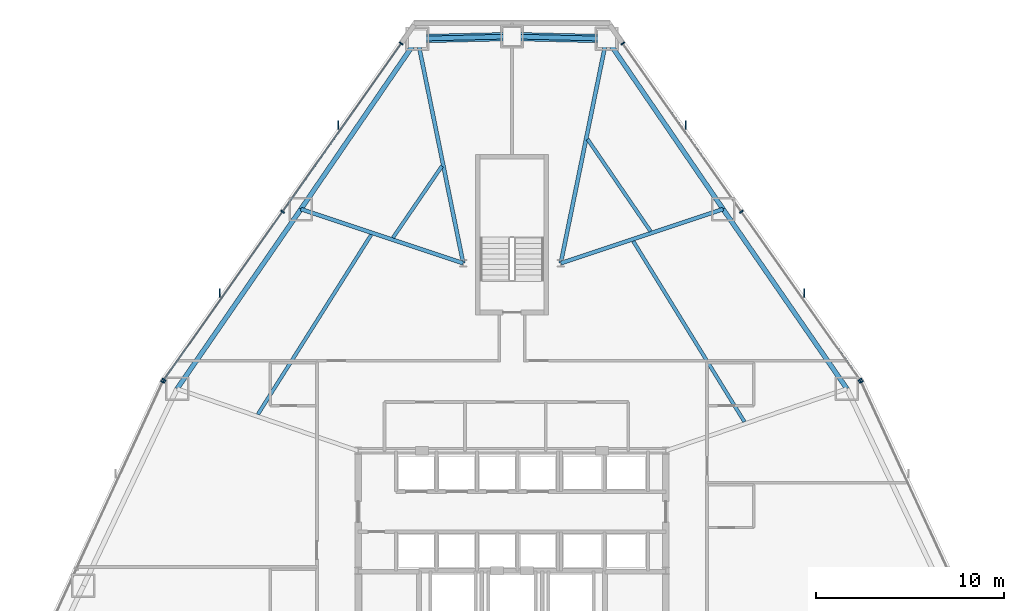
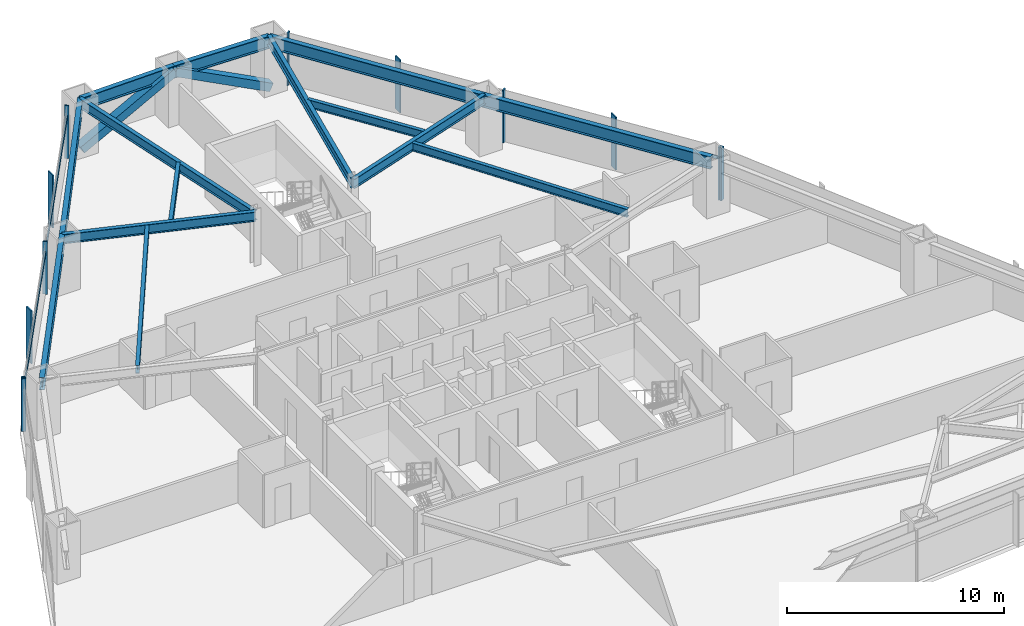
# One storey, part 7 of 12: 16 members, 14 beams, 4 elements without a shape of their own.
"""IFC4 building model written with IfcOpenShell, lengths in metres."""

from ifc_helpers import new_model, si_unit, direction, frame, origin, origin_2d, place, context, subcontext, project, spatial, rectangle, hollow_rectangle, i_section, extrude, source, transform, mapped, material, layer, layer_set, material_profile, profile_set, type_object, type_shapes, element, aggregate, save


model = new_model("IFC4")

# Units and contexts
model_context = context("Model", 3, precision=1e-05, world=origin(), true_north=direction((0.0, 1.0)))
body_context = subcontext(model_context, "Body", "Model", "MODEL_VIEW")
ifc_project = project(units=[si_unit("LENGTHUNIT", "METRE"), si_unit("AREAUNIT", "SQUARE_METRE"), si_unit("VOLUMEUNIT", "CUBIC_METRE"), si_unit("PLANEANGLEUNIT", "RADIAN"), si_unit("MASSUNIT", "GRAM", prefix="KILO")], contexts=[model_context])

# Site, building, storey
site_placement = place(None, origin())
site = spatial("IfcSite", under=ifc_project, at=site_placement, CompositionType="ELEMENT")
building_placement = place(site_placement, origin())
building = spatial("IfcBuilding", under=site, at=building_placement, Name="Varakhsha Concourse Tower", CompositionType="ELEMENT")
storey_placement = place(building_placement, frame((0.0, 0.0, 40.0)))
storey = spatial("IfcBuildingStorey", under=building, at=storey_placement, Name="L10", CompositionType="ELEMENT", Elevation=40.0)

# Beams
ifc_material_1 = material(Name="Structural Steel ASTM A992 Grade 50", Category="steel")
ifc_material_profile_1 = material_profile(ifc_material_1, i_section(OverallWidth=0.19091796875, OverallDepth=0.45703125, WebThickness=0.009033203125, FlangeThickness=0.013916015625, at=origin_2d()), Name="W18X50")
ifc_profile_set_1 = profile_set([ifc_material_profile_1], Name="Structural Steel ASTM A992 Grade 50")
beam_type_1 = type_object("IfcBeamType", Name="BM-JST-W18X50", PredefinedType="JOIST", material=ifc_profile_set_1)
beam_1_placement = place(storey_placement, frame((36.263916015625, 46.376708984375, 2.75146484375), z_axis=(-0.56439805482, -0.825502777533, 0.0), x_axis=(0.825502777533, -0.56439805482, 0.0)))
element("IfcBeam", 1, at=beam_1_placement, inside=storey, type_object=beam_type_1, Name="BM-TJST-L10-03", PredefinedType="JOIST", context=body_context, shape_type="SweptSolid", body=[
    extrude(i_section(OverallWidth=0.19091796875, OverallDepth=0.45703125, WebThickness=0.009033203125, FlangeThickness=0.013916015625, at=origin_2d()), origin(), (0.0, 0.0, 1.0), 4.623779296875),
])
beam_2_placement = place(storey_placement, frame((32.4951171875, 42.72216796875, 2.75146484375), z_axis=(-0.533683895247, -0.845684042627, 0.0), x_axis=(0.845684042627, -0.533683895247, 0.0)))
element("IfcBeam", 2, at=beam_2_placement, inside=storey, type_object=beam_type_1, Name="BM-TJST-L10-04", PredefinedType="JOIST", context=body_context, shape_type="SweptSolid", body=[
    extrude(i_section(OverallWidth=0.19091796875, OverallDepth=0.45703125, WebThickness=0.009033203125, FlangeThickness=0.013916015625, at=origin_2d()), origin(), (0.0, 0.0, 1.0), 11.323486328125),
])
beam_3_placement = place(storey_placement, frame((52.390625, 32.74951171875, 2.75146484375), z_axis=(-0.524201058585, 0.851594533906, 0.0), x_axis=(-0.851594533906, -0.524201058585, 0.0)))
element("IfcBeam", 3, at=beam_3_placement, inside=storey, type_object=beam_type_1, Name="BM-TJST-L10-17", PredefinedType="JOIST", context=body_context, shape_type="SweptSolid", body=[
    extrude(i_section(OverallWidth=0.19091796875, OverallDepth=0.45703125, WebThickness=0.009033203125, FlangeThickness=0.013916015625, at=origin_2d()), origin(), (0.0, 0.0, 1.0), 11.303466796875),
])
beam_4_placement = place(storey_placement, frame((47.38427734375, 42.906005859375, 2.75146484375), z_axis=(-0.564442440935, 0.825472428899, 0.0), x_axis=(-0.825472428899, -0.564442440935, 0.0)))
element("IfcBeam", 4, at=beam_4_placement, inside=storey, type_object=beam_type_1, Name="BM-TJST-L10-18", PredefinedType="JOIST", context=body_context, shape_type="SweptSolid", body=[
    extrude(i_section(OverallWidth=0.19091796875, OverallDepth=0.45703125, WebThickness=0.009033203125, FlangeThickness=0.013916015625, at=origin_2d()), origin(), (0.0, 0.0, 1.0), 5.94482421875),
])
ifc_material_profile_2 = material_profile(ifc_material_1, i_section(OverallWidth=0.2109375, OverallDepth=0.5390625, WebThickness=0.011962890625, FlangeThickness=0.01904296875, at=origin_2d()), Name="W21X73")
ifc_profile_set_2 = profile_set([ifc_material_profile_2], Name="Structural Steel ASTM A992 Grade 50")
beam_type_2 = type_object("IfcBeamType", Name="BM-RAD-W21X73", PredefinedType="BEAM", material=ifc_profile_set_2)
for number, where, z_axis, x_axis, name in (
    (5, (42.60009765625, 41.199951171875, 2.71044921875), (0.1997615207, 0.979844546266, 0.0), (-0.979844546266, 0.1997615207, 0.0), "L10 Radial Floor Girder 01"),
    (6, (37.39990234375, 41.199951171875, 2.71044921875), (-0.1997615207, 0.979844546266, 0.0), (-0.979844546266, -0.1997615207, 0.0), "L10 Radial Floor Girder 03"),
):
    element("IfcBeam", number, at=place(storey_placement, frame(where, z_axis=z_axis, x_axis=x_axis)), inside=storey, type_object=beam_type_2, Name=name, PredefinedType="BEAM", context=body_context, shape_type="SweptSolid", body=[
        extrude(i_section(OverallWidth=0.2109375, OverallDepth=0.5390625, WebThickness=0.011962890625, FlangeThickness=0.01904296875, at=origin_2d()), origin(), (0.0, 0.0, 1.0), 12.218017578125),
    ])
for number, where, z_axis, x_axis, name in (
    (7, (37.39990234375, 41.199951171875, 2.71044921875), (-0.948694003302, 0.316195648451, 0.0), (-0.316195648451, -0.948694003302, 0.0), "L10 Radial Floor Girder 04"),
    (8, (42.60009765625, 41.199951171875, 2.71044921875), (0.948694003302, 0.316195648451, 0.0), (-0.316195648451, 0.948694003302, 0.0), "L10 Radial Floor Girder 18"),
):
    element("IfcBeam", number, at=place(storey_placement, frame(where, z_axis=z_axis, x_axis=x_axis)), inside=storey, type_object=beam_type_2, Name=name, PredefinedType="BEAM", context=body_context, shape_type="SweptSolid", body=[
        extrude(i_section(OverallWidth=0.2109375, OverallDepth=0.5390625, WebThickness=0.011962890625, FlangeThickness=0.01904296875, at=origin_2d()), origin(), (0.0, 0.0, 1.0), 9.121826171875),
    ])
ifc_material_profile_3 = material_profile(ifc_material_1, i_section(OverallWidth=0.25390625, OverallDepth=0.701904296875, WebThickness=0.014892578125, FlangeThickness=0.028076171875, at=origin_2d()), Name="W27X129")
ifc_profile_set_3 = profile_set([ifc_material_profile_3], Name="Structural Steel ASTM A992 Grade 50")
beam_type_3 = type_object("IfcBeamType", Name="BM-SPAN-W27X129", PredefinedType="SPANDREL", material=ifc_profile_set_3)
for number, where, z_axis, x_axis, name in (
    (9, (45.040771484375, 53.171630859375, 2.62890625), (-0.999731000266, 0.023193255637, 0.0), (-0.023193255637, -0.999731000266, 0.0), "BM-SPAN-L10-01"),
    (10, (40.0, 53.28857421875, 2.62890625), (-0.999731000266, -0.023193255637, 0.0), (0.023193255637, -0.999731000266, 0.0), "BM-SPAN-L10-02"),
):
    element("IfcBeam", number, at=place(storey_placement, frame(where, z_axis=z_axis, x_axis=x_axis)), inside=storey, type_object=beam_type_3, Name=name, PredefinedType="SPANDREL", context=body_context, shape_type="SweptSolid", body=[
        extrude(i_section(OverallWidth=0.25390625, OverallDepth=0.701904296875, WebThickness=0.014892578125, FlangeThickness=0.028076171875, at=origin_2d()), origin(), (0.0, 0.0, 1.0), 5.042236328125),
    ])
beam_5_placement = place(storey_placement, frame((34.959228515625, 53.171630859375, 2.62890625), z_axis=(-0.564401639279, -0.82550032682, 0.0), x_axis=(0.82550032682, -0.564401639279, 0.0)))
element("IfcBeam", 11, at=beam_5_placement, inside=storey, type_object=beam_type_3, Name="BM-SPAN-L10-03", PredefinedType="SPANDREL", context=body_context, shape_type="SweptSolid", body=[
    extrude(i_section(OverallWidth=0.25390625, OverallDepth=0.701904296875, WebThickness=0.014892578125, FlangeThickness=0.028076171875, at=origin_2d()), origin(), (0.0, 0.0, 1.0), 11.00830078125),
])
for number, where, z_axis, x_axis, name in (
    (12, (28.74609375, 44.084228515625, 2.62890625), (-0.567591182369, -0.823310542686, 0.0), (0.823310542686, -0.567591182369, 0.0), "BM-SPAN-L10-04"),
    (13, (57.855224609375, 34.5087890625, 2.62890625), (-0.567591182369, 0.823310542686, 0.0), (-0.823310542686, -0.567591182369, 0.0), "BM-SPAN-L10-17"),
):
    element("IfcBeam", number, at=place(storey_placement, frame(where, z_axis=z_axis, x_axis=x_axis)), inside=storey, type_object=beam_type_3, Name=name, PredefinedType="SPANDREL", context=body_context, shape_type="SweptSolid", body=[
        extrude(i_section(OverallWidth=0.25390625, OverallDepth=0.701904296875, WebThickness=0.014892578125, FlangeThickness=0.028076171875, at=origin_2d()), origin(), (0.0, 0.0, 1.0), 11.63037109375),
    ])
beam_6_placement = place(storey_placement, frame((51.25390625, 44.084228515625, 2.62890625), z_axis=(-0.564401639279, 0.82550032682, 0.0), x_axis=(-0.82550032682, -0.564401639279, 0.0)))
element("IfcBeam", 14, at=beam_6_placement, inside=storey, type_object=beam_type_3, Name="BM-SPAN-L10-18", PredefinedType="SPANDREL", context=body_context, shape_type="SweptSolid", body=[
    extrude(i_section(OverallWidth=0.25390625, OverallDepth=0.701904296875, WebThickness=0.014892578125, FlangeThickness=0.028076171875, at=origin_2d()), origin(), (0.0, 0.0, 1.0), 11.00830078125),
])

# Members
ifc_material_2 = material(Name="Structural Steel ASTM A500 Grade C", Category="steel")
ifc_material_profile_4 = material_profile(ifc_material_2, hollow_rectangle(XDim=0.449951171875, YDim=0.449951171875, WallThickness=0.01904296875, at=origin_2d()), Name="HSS 450x450x19")
ifc_profile_set_4 = profile_set([ifc_material_profile_4], Name="Structural Steel ASTM A500 Grade C")
member_type_1 = type_object("IfcMemberType", Name="MB-TUBE-HSS450", PredefinedType="BRACE", material=ifc_profile_set_4)
shared_shape_1 = source(origin(), body_context, "Body", "SweptSolid", [
    extrude(hollow_rectangle(XDim=0.449951171875, YDim=0.449951171875, WallThickness=0.01904296875, at=origin_2d()), origin(), (0.0, 0.0, 1.0), 5.65478515625),
])
type_shapes(member_type_1, [shared_shape_1])
for number, where, z_axis, x_axis, name in (
    (15, (45.040771484375, 53.171630859375, 0.1201171875), (-0.891429412653, 0.020680713356, 0.452687431184), (-0.023193255637, -0.999731000266, 0.0), "L10 Wind-Corner Tube Brace B01"),
    (16, (34.959228515625, 53.171630859375, 0.1201171875), (0.891429412653, 0.020680713356, 0.452687431184), (-0.023193255637, 0.999731000266, 0.0), "L10 Wind-Corner Tube Brace B02"),
):
    element("IfcMember", number, at=place(storey_placement, frame(where, z_axis=z_axis, x_axis=x_axis)), inside=storey, type_object=member_type_1, Name=name, PredefinedType="BRACE", context=body_context, shape_type="MappedRepresentation", body=[
        mapped(shared_shape_1, transform((0.0, 0.0, 0.0), scale=1.0)),
    ])

# Curtain wall, members
ifc_material_3 = material(Name="Anodised Bronze Architectural Aluminium AA 6063-T6", Category="aluminium")
ifc_layer = layer(ifc_material_3, 0.219970703125, Name="CW-SYS-02")
ifc_layer_set = layer_set([ifc_layer], Name="Anodised Bronze Architectural Aluminium AA 6063-T6")
curtain_wall_type = type_object("IfcCurtainWallType", Name="CW-SYS-02", PredefinedType="NOTDEFINED", material=ifc_layer_set)
curtain_wall_1_placement = place(storey_placement, origin())
curtain_wall_1 = element("IfcCurtainWall", 17, at=curtain_wall_1_placement, inside=storey, type_object=curtain_wall_type, Name="L10 Crystal Curtain Wall F2", PredefinedType="NOTDEFINED")
ifc_material_profile_5 = material_profile(ifc_material_3, rectangle(XDim=0.074951171875, YDim=0.219970703125, at=origin_2d()), Name="CWM-220X75")
ifc_profile_set_5 = profile_set([ifc_material_profile_5], Name="Anodised Bronze Architectural Aluminium AA 6063-T6")
member_type_2 = type_object("IfcMemberType", Name="CWM-220X75", PredefinedType="MULLION", material=ifc_profile_set_5)
shared_shape_2 = source(origin(), body_context, "Body", "SweptSolid", [
    extrude(rectangle(XDim=0.074951171875, YDim=0.219970703125, at=origin_2d()), origin(), (0.0, 0.0, 1.0), 2.97998046875),
])
type_shapes(member_type_2, [shared_shape_2])
member_1_placement = place(storey_placement, frame((21.4453125, 34.98779296875, 0.0), z_axis=(0.0, 0.0, 1.0), x_axis=(0.576593464077, 0.817031197191, 0.0)))
member_1 = element("IfcMember", 18, at=member_1_placement, type_object=member_type_2, Name="CW-L10-F2 Mullion 00", PredefinedType="MULLION", context=body_context, shape_type="MappedRepresentation", body=[
    mapped(shared_shape_2, transform((0.0, 0.0, 0.0), scale=1.0)),
])
member_2_placement = place(storey_placement, frame((27.771484375, 43.951904296875, 0.0), z_axis=(0.0, 0.0, 1.0), x_axis=(0.576593464077, 0.817031197191, 0.0)))
member_2 = element("IfcMember", 19, at=member_2_placement, type_object=member_type_2, Name="CW-L10-F2 Mullion 01", PredefinedType="MULLION", context=body_context, shape_type="MappedRepresentation", body=[
    mapped(shared_shape_2, transform((0.0, 0.0, 0.0), scale=1.0)),
])
member_3_placement = place(storey_placement, frame((34.09765625, 52.916259765625, 0.0), z_axis=(0.0, 0.0, 1.0), x_axis=(0.576593464077, 0.817031197191, 0.0)))
member_3 = element("IfcMember", 20, at=member_3_placement, type_object=member_type_2, Name="CW-L10-F2 Mullion 02", PredefinedType="MULLION", context=body_context, shape_type="MappedRepresentation", body=[
    mapped(shared_shape_2, transform((0.0, 0.0, 0.0), scale=1.0)),
])

# Curtain wall, member
curtain_wall_2_placement = place(storey_placement, origin())
curtain_wall_2 = element("IfcCurtainWall", 21, at=curtain_wall_2_placement, inside=storey, type_object=curtain_wall_type, Name="L10 Crystal Curtain Wall F3", PredefinedType="NOTDEFINED")
member_4_placement = place(storey_placement, frame((21.380126953125, 34.875, 0.0), z_axis=(0.0, 0.0, 1.0), x_axis=(0.419269871381, 0.907861649676, 0.0)))
member_4 = element("IfcMember", 22, at=member_4_placement, type_object=member_type_2, Name="CW-L10-F3 Mullion 02", PredefinedType="MULLION", context=body_context, shape_type="MappedRepresentation", body=[
    mapped(shared_shape_2, transform((0.0, 0.0, 0.0), scale=1.0)),
])
aggregate(curtain_wall_2, [member_4])

curtain_wall_3_placement = place(storey_placement, origin())
curtain_wall_3 = element("IfcCurtainWall", 23, at=curtain_wall_3_placement, inside=storey, type_object=curtain_wall_type, Name="L10 Crystal Curtain Wall F8", PredefinedType="NOTDEFINED")
member_5_placement = place(storey_placement, frame((58.619873046875, 34.875, 0.0), z_axis=(0.0, 0.0, 1.0), x_axis=(0.419269871381, -0.907861649676, 0.0)))
member_5 = element("IfcMember", 24, at=member_5_placement, type_object=member_type_2, Name="CW-L10-F8 Mullion 00", PredefinedType="MULLION", context=body_context, shape_type="MappedRepresentation", body=[
    mapped(shared_shape_2, transform((0.0, 0.0, 0.0), scale=1.0)),
])
aggregate(curtain_wall_3, [member_5])

# Curtain wall, members
curtain_wall_4_placement = place(storey_placement, origin())
curtain_wall_4 = element("IfcCurtainWall", 25, at=curtain_wall_4_placement, inside=storey, type_object=curtain_wall_type, Name="L10 Crystal Curtain Wall F9", PredefinedType="NOTDEFINED")
member_6_placement = place(storey_placement, frame((45.90234375, 52.916259765625, 0.0), z_axis=(0.0, 0.0, 1.0), x_axis=(0.576593464077, -0.817031197191, 0.0)))
member_6 = element("IfcMember", 26, at=member_6_placement, type_object=member_type_2, Name="CW-L10-F9 Mullion 00", PredefinedType="MULLION", context=body_context, shape_type="MappedRepresentation", body=[
    mapped(shared_shape_2, transform((0.0, 0.0, 0.0), scale=1.0)),
])
member_7_placement = place(storey_placement, frame((52.228515625, 43.951904296875, 0.0), z_axis=(0.0, 0.0, 1.0), x_axis=(0.576593464077, -0.817031197191, 0.0)))
member_7 = element("IfcMember", 27, at=member_7_placement, type_object=member_type_2, Name="CW-L10-F9 Mullion 01", PredefinedType="MULLION", context=body_context, shape_type="MappedRepresentation", body=[
    mapped(shared_shape_2, transform((0.0, 0.0, 0.0), scale=1.0)),
])
member_8_placement = place(storey_placement, frame((58.5546875, 34.98779296875, 0.0), z_axis=(0.0, 0.0, 1.0), x_axis=(0.576593464077, -0.817031197191, 0.0)))
member_8 = element("IfcMember", 28, at=member_8_placement, type_object=member_type_2, Name="CW-L10-F9 Mullion 02", PredefinedType="MULLION", context=body_context, shape_type="MappedRepresentation", body=[
    mapped(shared_shape_2, transform((0.0, 0.0, 0.0), scale=1.0)),
])

# Member
ifc_material_profile_6 = material_profile(ifc_material_3, rectangle(XDim=0.06494140625, YDim=0.449951171875, at=origin_2d()), Name="FIN-BRZ-450")
ifc_profile_set_6 = profile_set([ifc_material_profile_6], Name="Anodised Bronze Architectural Aluminium AA 6063-T6")
member_type_3 = type_object("IfcMemberType", Name="FIN-BRZ-450", PredefinedType="USERDEFINED", material=ifc_profile_set_6)
shared_shape_3 = source(origin(), body_context, "Body", "SweptSolid", [
    extrude(rectangle(XDim=0.06494140625, YDim=0.449951171875, at=origin_2d()), origin(), (0.0, 0.0, 1.0), 2.97998046875),
])
type_shapes(member_type_3, [shared_shape_3])
member_9_placement = place(storey_placement, frame((24.412353515625, 39.6083984375, 0.0), z_axis=(0.0, 0.0, 1.0), x_axis=(1.0, 0.0, 0.0)))
member_9 = element("IfcMember", 29, at=member_9_placement, type_object=member_type_3, Name="L10 Anodised Bronze Solar Fin F2-1", ObjectType="SOLAR FIN", PredefinedType="USERDEFINED", context=body_context, shape_type="MappedRepresentation", body=[
    mapped(shared_shape_3, transform((0.0, 0.0, 0.0), scale=1.0)),
])

member_10_placement = place(storey_placement, frame((30.738525390625, 48.572509765625, 0.0), z_axis=(0.0, 0.0, 1.0), x_axis=(1.0, 0.0, 0.0)))
member_10 = element("IfcMember", 30, at=member_10_placement, type_object=member_type_3, Name="L10 Anodised Bronze Solar Fin F2-2", ObjectType="SOLAR FIN", PredefinedType="USERDEFINED", context=body_context, shape_type="MappedRepresentation", body=[
    mapped(shared_shape_3, transform((0.0, 0.0, 0.0), scale=1.0)),
])

member_11_placement = place(storey_placement, frame((49.261474609375, 48.572509765625, 0.0), z_axis=(0.0, 0.0, 1.0), x_axis=(1.0, 0.0, 0.0)))
member_11 = element("IfcMember", 31, at=member_11_placement, type_object=member_type_3, Name="L10 Anodised Bronze Solar Fin F9-1", ObjectType="SOLAR FIN", PredefinedType="USERDEFINED", context=body_context, shape_type="MappedRepresentation", body=[
    mapped(shared_shape_3, transform((0.0, 0.0, 0.0), scale=1.0)),
])

member_12_placement = place(storey_placement, frame((55.587646484375, 39.6083984375, 0.0), z_axis=(0.0, 0.0, 1.0), x_axis=(1.0, 0.0, 0.0)))
member_12 = element("IfcMember", 32, at=member_12_placement, type_object=member_type_3, Name="L10 Anodised Bronze Solar Fin F9-2", ObjectType="SOLAR FIN", PredefinedType="USERDEFINED", context=body_context, shape_type="MappedRepresentation", body=[
    mapped(shared_shape_3, transform((0.0, 0.0, 0.0), scale=1.0)),
])

ifc_material_profile_7 = material_profile(ifc_material_3, rectangle(XDim=0.06494140625, YDim=0.159912109375, at=origin_2d()), Name="CWT-160X65")
ifc_profile_set_7 = profile_set([ifc_material_profile_7], Name="Anodised Bronze Architectural Aluminium AA 6063-T6")
member_type_4 = type_object("IfcMemberType", Name="CWT-160X65", PredefinedType="USERDEFINED", material=ifc_profile_set_7)
shared_shape_4 = source(origin(), body_context, "Body", "SweptSolid", [
    extrude(rectangle(XDim=0.06494140625, YDim=0.159912109375, at=origin_2d()), origin(), (0.0, 0.0, 1.0), 21.943359375),
])
type_shapes(member_type_4, [shared_shape_4])
member_13_placement = place(storey_placement, frame((21.4453125, 34.98779296875, 2.330078125), z_axis=(0.576590589092, 0.817033226111, 0.0), x_axis=(-0.817033226111, 0.576590589092, 0.0)))
member_13 = element("IfcMember", 33, at=member_13_placement, type_object=member_type_4, Name="CW-L10-F2 Transom 01", ObjectType="TRANSOM", PredefinedType="USERDEFINED", context=body_context, shape_type="MappedRepresentation", body=[
    mapped(shared_shape_4, transform((0.0, 0.0, 0.0), scale=1.0)),
])

aggregate(curtain_wall_1, [member_1, member_2, member_3, member_13, member_9, member_10])

member_14_placement = place(storey_placement, frame((45.90234375, 52.916259765625, 2.330078125), z_axis=(0.576590589092, -0.817033226111, 0.0), x_axis=(0.817033226111, 0.576590589092, 0.0)))
member_14 = element("IfcMember", 34, at=member_14_placement, type_object=member_type_4, Name="CW-L10-F9 Transom 01", ObjectType="TRANSOM", PredefinedType="USERDEFINED", context=body_context, shape_type="MappedRepresentation", body=[
    mapped(shared_shape_4, transform((0.0, 0.0, 0.0), scale=1.0)),
])

aggregate(curtain_wall_4, [member_6, member_7, member_8, member_14, member_11, member_12])

save(model, "model.ifc")
